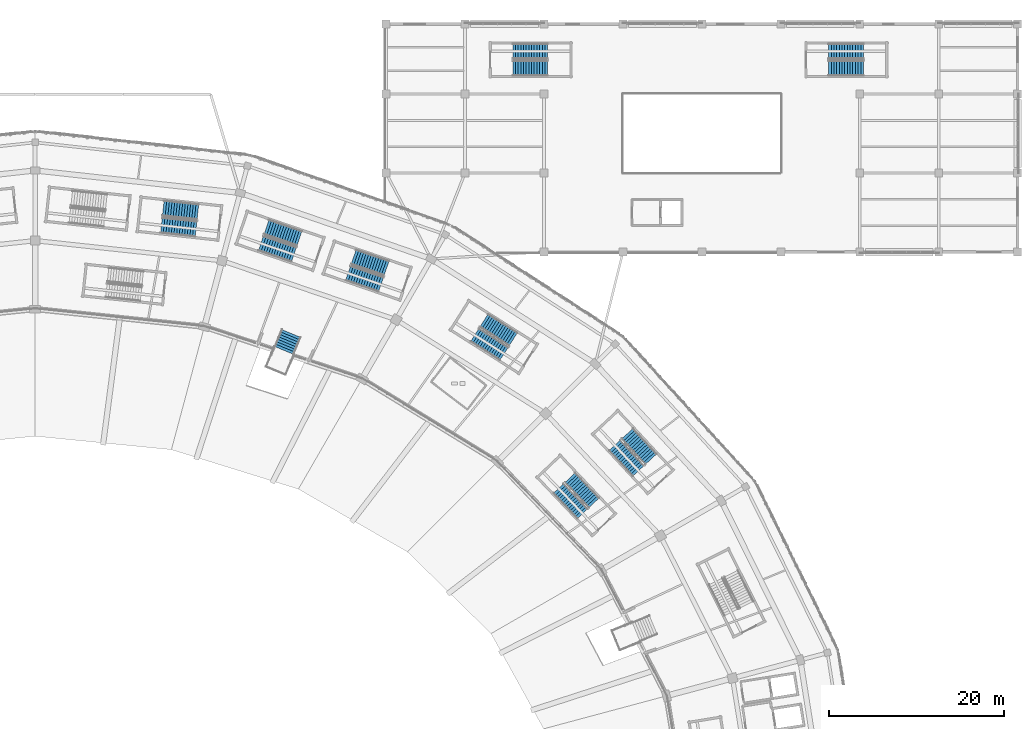
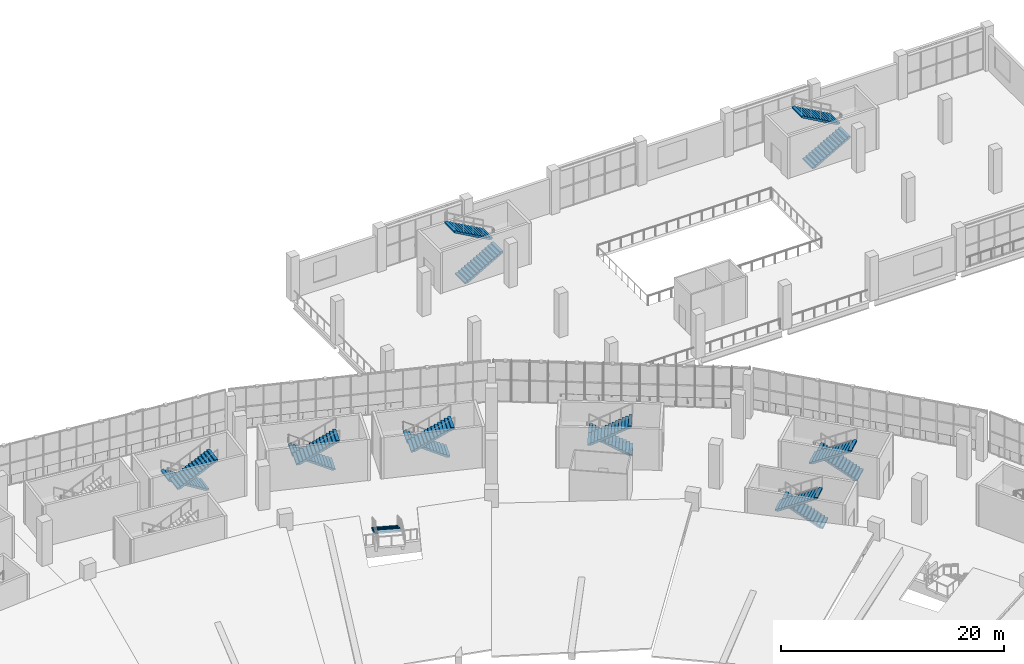
# One storey, part 118 of 183: 17 stair flights, 9 elements without a shape of their own.
"""IFC4 building model written with IfcOpenShell, lengths in metres."""

from ifc_helpers import new_model, si_unit, direction, frame, origin, place, context, subcontext, project, spatial, polyline, outline, extrude, material, type_object, element, aggregate, save


model = new_model("IFC4")

# Units and contexts
model_context = context("Model", 3, precision=1e-05, world=origin(), true_north=direction((0.0, 1.0)))
body_context = subcontext(model_context, "Body", "Model", "MODEL_VIEW")
ifc_project = project(units=[si_unit("LENGTHUNIT", "METRE"), si_unit("AREAUNIT", "SQUARE_METRE"), si_unit("VOLUMEUNIT", "CUBIC_METRE"), si_unit("PLANEANGLEUNIT", "RADIAN"), si_unit("MASSUNIT", "GRAM", prefix="KILO")], contexts=[model_context])

# Site, building, storey
site_placement = place(None, origin())
site = spatial("IfcSite", under=ifc_project, at=site_placement, CompositionType="ELEMENT")
building_placement = place(site_placement, origin())
building = spatial("IfcBuilding", under=site, at=building_placement, Name="Zevraka Park Crest Stadium", CompositionType="ELEMENT")
storey_placement = place(building_placement, frame((0.0, 0.0, 5.39990234375)))
storey = spatial("IfcBuildingStorey", under=building, at=storey_placement, Name="L01", CompositionType="ELEMENT", Elevation=5.39990234375)

# Stair, stair flights
ifc_material_1 = material(Name="Concrete C35/45", Category="concrete")
stair_type_1 = type_object("IfcStairType", Name="STA2", PredefinedType="HALF_TURN_STAIR", material=ifc_material_1)
stair_1_placement = place(storey_placement, origin())
stair_1 = element("IfcStair", 1, at=stair_1_placement, inside=storey, type_object=stair_type_1, Name="L01 Protected Concourse Exit Stair ST03", PredefinedType="HALF_TURN_STAIR")
ifc_material_2 = material(Name="Concrete C35/45", Category="concrete")
stair_flight_type_1 = type_object("IfcStairFlightType", Name="FLA2", PredefinedType="STRAIGHT", material=ifc_material_2)
stair_flight_1_placement = place(storey_placement, frame((182.212646484375, 134.396240234375, 0.0), z_axis=(0.0, 0.0, 1.0), x_axis=(-0.680255347227, 0.732975212793, 0.0)))
stair_flight_1 = element("IfcStairFlight", 2, at=stair_flight_1_placement, type_object=stair_flight_type_1, Name="ST03 flight 1", NumberOfRisers=14, NumberOfTreads=13, PredefinedType="STRAIGHT", RiserHeight=0.171428571, TreadLength=0.305, context=body_context, shape_type="SweptSolid", body=[
    extrude(outline(polyline([(0.0, 0.0), (0.0, 0.17138671875), (0.304931640625, 0.17138671875), (0.304931640625, 0.3427734375), (0.610107421875, 0.3427734375), (0.610107421875, 0.514404296875), (0.9150390625, 0.514404296875), (0.9150390625, 0.685791015625), (1.219970703125, 0.685791015625), (1.219970703125, 0.857177734375), (1.52490234375, 0.857177734375), (1.52490234375, 1.028564453125), (1.830078125, 1.028564453125), (1.830078125, 1.199951171875), (2.135009765625, 1.199951171875), (2.135009765625, 1.371337890625), (2.43994140625, 1.371337890625), (2.43994140625, 1.54296875), (2.7451171875, 1.54296875), (2.7451171875, 1.71435546875), (3.050048828125, 1.71435546875), (3.050048828125, 1.8857421875), (3.35498046875, 1.8857421875), (3.35498046875, 2.05712890625), (3.659912109375, 2.05712890625), (3.659912109375, 2.228515625), (3.965087890625, 2.228515625), (3.965087890625, 2.39990234375), (3.965087890625, 2.045166015625), (0.326416015625, 0.0), (0.0, 0.0)])), frame((0.0, 0.89990234375, 0.0), z_axis=(0.0, -1.0, 0.0), x_axis=(1.0, 0.0, 0.0)), (0.0, 0.0, 1.0), 1.800048828125),
])
stair_flight_2_placement = place(storey_placement, frame((178.078857421875, 135.96923828125, 2.400146484375), z_axis=(0.0, 0.0, 1.0), x_axis=(0.680255347227, -0.732975212793, 0.0)))
stair_flight_2 = element("IfcStairFlight", 3, at=stair_flight_2_placement, type_object=stair_flight_type_1, Name="ST03 flight 2", NumberOfRisers=14, NumberOfTreads=13, PredefinedType="STRAIGHT", RiserHeight=0.171428571, TreadLength=0.305, context=body_context, shape_type="SweptSolid", body=[
    extrude(outline(polyline([(0.0, 0.0), (0.0, 0.17138671875), (0.304931640625, 0.17138671875), (0.304931640625, 0.3427734375), (0.610107421875, 0.3427734375), (0.610107421875, 0.514404296875), (0.9150390625, 0.514404296875), (0.9150390625, 0.685791015625), (1.219970703125, 0.685791015625), (1.219970703125, 0.857177734375), (1.52490234375, 0.857177734375), (1.52490234375, 1.028564453125), (1.830078125, 1.028564453125), (1.830078125, 1.199951171875), (2.135009765625, 1.199951171875), (2.135009765625, 1.371337890625), (2.43994140625, 1.371337890625), (2.43994140625, 1.54296875), (2.7451171875, 1.54296875), (2.7451171875, 1.71435546875), (3.050048828125, 1.71435546875), (3.050048828125, 1.8857421875), (3.35498046875, 1.8857421875), (3.35498046875, 2.05712890625), (3.659912109375, 2.05712890625), (3.659912109375, 2.228515625), (3.965087890625, 2.228515625), (3.965087890625, 2.39990234375), (3.965087890625, 2.045166015625), (0.326416015625, 0.0), (0.0, 0.0)])), frame((0.0, 0.89990234375, 0.0), z_axis=(0.0, -1.0, 0.0), x_axis=(1.0, 0.0, 0.0)), (0.0, 0.0, 1.0), 1.800048828125),
])
aggregate(stair_1, [stair_flight_1, stair_flight_2])

stair_2_placement = place(storey_placement, origin())
stair_2 = element("IfcStair", 4, at=stair_2_placement, inside=storey, type_object=stair_type_1, Name="L01 Protected Concourse Exit Stair ST04", PredefinedType="HALF_TURN_STAIR")
stair_flight_3_placement = place(storey_placement, frame((166.5029296875, 148.060302734375, 0.0), z_axis=(0.0, 0.0, 1.0), x_axis=(-0.844397122829, 0.535717741874, 0.0)))
stair_flight_3 = element("IfcStairFlight", 5, at=stair_flight_3_placement, type_object=stair_flight_type_1, Name="ST04 flight 1", NumberOfRisers=14, NumberOfTreads=13, PredefinedType="STRAIGHT", RiserHeight=0.171428571, TreadLength=0.305, context=body_context, shape_type="SweptSolid", body=[
    extrude(outline(polyline([(0.0, 0.0), (0.0, 0.17138671875), (0.304931640625, 0.17138671875), (0.304931640625, 0.3427734375), (0.610107421875, 0.3427734375), (0.610107421875, 0.514404296875), (0.9150390625, 0.514404296875), (0.9150390625, 0.685791015625), (1.219970703125, 0.685791015625), (1.219970703125, 0.857177734375), (1.52490234375, 0.857177734375), (1.52490234375, 1.028564453125), (1.830078125, 1.028564453125), (1.830078125, 1.199951171875), (2.135009765625, 1.199951171875), (2.135009765625, 1.371337890625), (2.43994140625, 1.371337890625), (2.43994140625, 1.54296875), (2.7451171875, 1.54296875), (2.7451171875, 1.71435546875), (3.050048828125, 1.71435546875), (3.050048828125, 1.8857421875), (3.35498046875, 1.8857421875), (3.35498046875, 2.05712890625), (3.659912109375, 2.05712890625), (3.659912109375, 2.228515625), (3.965087890625, 2.228515625), (3.965087890625, 2.39990234375), (3.965087890625, 2.045166015625), (0.326416015625, 0.0), (0.0, 0.0)])), frame((0.0, 0.89990234375, 0.0), z_axis=(0.0, -1.0, 0.0), x_axis=(1.0, 0.0, 0.0)), (0.0, 0.0, 1.0), 1.800048828125),
])
stair_flight_4_placement = place(storey_placement, frame((162.104736328125, 148.529541015625, 2.400146484375), z_axis=(0.0, 0.0, 1.0), x_axis=(0.844397122829, -0.535717741874, 0.0)))
stair_flight_4 = element("IfcStairFlight", 6, at=stair_flight_4_placement, type_object=stair_flight_type_1, Name="ST04 flight 2", NumberOfRisers=14, NumberOfTreads=13, PredefinedType="STRAIGHT", RiserHeight=0.171428571, TreadLength=0.305, context=body_context, shape_type="SweptSolid", body=[
    extrude(outline(polyline([(0.0, 0.0), (0.0, 0.17138671875), (0.304931640625, 0.17138671875), (0.304931640625, 0.3427734375), (0.610107421875, 0.3427734375), (0.610107421875, 0.514404296875), (0.9150390625, 0.514404296875), (0.9150390625, 0.685791015625), (1.219970703125, 0.685791015625), (1.219970703125, 0.857177734375), (1.52490234375, 0.857177734375), (1.52490234375, 1.028564453125), (1.830078125, 1.028564453125), (1.830078125, 1.199951171875), (2.135009765625, 1.199951171875), (2.135009765625, 1.371337890625), (2.43994140625, 1.371337890625), (2.43994140625, 1.54296875), (2.7451171875, 1.54296875), (2.7451171875, 1.71435546875), (3.050048828125, 1.71435546875), (3.050048828125, 1.8857421875), (3.35498046875, 1.8857421875), (3.35498046875, 2.05712890625), (3.659912109375, 2.05712890625), (3.659912109375, 2.228515625), (3.965087890625, 2.228515625), (3.965087890625, 2.39990234375), (3.965087890625, 2.045166015625), (0.326416015625, 0.0), (0.0, 0.0)])), frame((0.0, 0.89990234375, 0.0), z_axis=(0.0, -1.0, 0.0), x_axis=(1.0, 0.0, 0.0)), (0.0, 0.0, 1.0), 1.800048828125),
])
aggregate(stair_2, [stair_flight_3, stair_flight_4])

stair_3_placement = place(storey_placement, origin())
stair_3 = element("IfcStair", 7, at=stair_3_placement, inside=storey, type_object=stair_type_1, Name="L01 Protected Concourse Exit Stair ST05", PredefinedType="HALF_TURN_STAIR")
stair_flight_5_placement = place(storey_placement, frame((152.057373046875, 156.154541015625, 0.0), z_axis=(0.0, 0.0, 1.0), x_axis=(-0.946066135515, 0.323973559463, 0.0)))
stair_flight_5 = element("IfcStairFlight", 8, at=stair_flight_5_placement, type_object=stair_flight_type_1, Name="ST05 flight 1", NumberOfRisers=14, NumberOfTreads=13, PredefinedType="STRAIGHT", RiserHeight=0.171428571, TreadLength=0.305, context=body_context, shape_type="SweptSolid", body=[
    extrude(outline(polyline([(0.0, 0.0), (0.0, 0.17138671875), (0.304931640625, 0.17138671875), (0.304931640625, 0.3427734375), (0.610107421875, 0.3427734375), (0.610107421875, 0.514404296875), (0.9150390625, 0.514404296875), (0.9150390625, 0.685791015625), (1.219970703125, 0.685791015625), (1.219970703125, 0.857177734375), (1.52490234375, 0.857177734375), (1.52490234375, 1.028564453125), (1.830078125, 1.028564453125), (1.830078125, 1.199951171875), (2.135009765625, 1.199951171875), (2.135009765625, 1.371337890625), (2.43994140625, 1.371337890625), (2.43994140625, 1.54296875), (2.7451171875, 1.54296875), (2.7451171875, 1.71435546875), (3.050048828125, 1.71435546875), (3.050048828125, 1.8857421875), (3.35498046875, 1.8857421875), (3.35498046875, 2.05712890625), (3.659912109375, 2.05712890625), (3.659912109375, 2.228515625), (3.965087890625, 2.228515625), (3.965087890625, 2.39990234375), (3.965087890625, 2.045166015625), (0.326416015625, 0.0), (0.0, 0.0)])), frame((0.0, 0.89990234375, 0.0), z_axis=(0.0, -1.0, 0.0), x_axis=(1.0, 0.0, 0.0)), (0.0, 0.0, 1.0), 1.800048828125),
])
stair_flight_6_placement = place(storey_placement, frame((147.671142578125, 155.584716796875, 2.400146484375), z_axis=(0.0, 0.0, 1.0), x_axis=(0.946066135515, -0.323973559463, 0.0)))
stair_flight_6 = element("IfcStairFlight", 9, at=stair_flight_6_placement, type_object=stair_flight_type_1, Name="ST05 flight 2", NumberOfRisers=14, NumberOfTreads=13, PredefinedType="STRAIGHT", RiserHeight=0.171428571, TreadLength=0.305, context=body_context, shape_type="SweptSolid", body=[
    extrude(outline(polyline([(0.0, 0.0), (0.0, 0.17138671875), (0.304931640625, 0.17138671875), (0.304931640625, 0.3427734375), (0.610107421875, 0.3427734375), (0.610107421875, 0.514404296875), (0.9150390625, 0.514404296875), (0.9150390625, 0.685791015625), (1.219970703125, 0.685791015625), (1.219970703125, 0.857177734375), (1.52490234375, 0.857177734375), (1.52490234375, 1.028564453125), (1.830078125, 1.028564453125), (1.830078125, 1.199951171875), (2.135009765625, 1.199951171875), (2.135009765625, 1.371337890625), (2.43994140625, 1.371337890625), (2.43994140625, 1.54296875), (2.7451171875, 1.54296875), (2.7451171875, 1.71435546875), (3.050048828125, 1.71435546875), (3.050048828125, 1.8857421875), (3.35498046875, 1.8857421875), (3.35498046875, 2.05712890625), (3.659912109375, 2.05712890625), (3.659912109375, 2.228515625), (3.965087890625, 2.228515625), (3.965087890625, 2.39990234375), (3.965087890625, 2.045166015625), (0.326416015625, 0.0), (0.0, 0.0)])), frame((0.0, 0.89990234375, 0.0), z_axis=(0.0, -1.0, 0.0), x_axis=(1.0, 0.0, 0.0)), (0.0, 0.0, 1.0), 1.800048828125),
])
aggregate(stair_3, [stair_flight_5, stair_flight_6])

stair_4_placement = place(storey_placement, origin())
stair_4 = element("IfcStair", 10, at=stair_4_placement, inside=storey, type_object=stair_type_1, Name="L01 Protected Concourse Exit Stair ST06", PredefinedType="HALF_TURN_STAIR")
stair_flight_7_placement = place(storey_placement, frame((130.545166015625, 162.56689453125, 0.0), z_axis=(0.0, 0.0, 1.0), x_axis=(-0.994127567381, 0.108214508149, 0.0)))
stair_flight_7 = element("IfcStairFlight", 11, at=stair_flight_7_placement, type_object=stair_flight_type_1, Name="ST06 flight 1", NumberOfRisers=14, NumberOfTreads=13, PredefinedType="STRAIGHT", RiserHeight=0.171428571, TreadLength=0.305, context=body_context, shape_type="SweptSolid", body=[
    extrude(outline(polyline([(0.0, 0.0), (0.0, 0.17138671875), (0.304931640625, 0.17138671875), (0.304931640625, 0.3427734375), (0.610107421875, 0.3427734375), (0.610107421875, 0.514404296875), (0.9150390625, 0.514404296875), (0.9150390625, 0.685791015625), (1.219970703125, 0.685791015625), (1.219970703125, 0.857177734375), (1.52490234375, 0.857177734375), (1.52490234375, 1.028564453125), (1.830078125, 1.028564453125), (1.830078125, 1.199951171875), (2.135009765625, 1.199951171875), (2.135009765625, 1.371337890625), (2.43994140625, 1.371337890625), (2.43994140625, 1.54296875), (2.7451171875, 1.54296875), (2.7451171875, 1.71435546875), (3.050048828125, 1.71435546875), (3.050048828125, 1.8857421875), (3.35498046875, 1.8857421875), (3.35498046875, 2.05712890625), (3.659912109375, 2.05712890625), (3.659912109375, 2.228515625), (3.965087890625, 2.228515625), (3.965087890625, 2.39990234375), (3.965087890625, 2.045166015625), (0.326416015625, 0.0), (0.0, 0.0)])), frame((0.0, 0.89990234375, 0.0), z_axis=(0.0, -1.0, 0.0), x_axis=(1.0, 0.0, 0.0)), (0.0, 0.0, 1.0), 1.800048828125),
])
stair_flight_8_placement = place(storey_placement, frame((126.391357421875, 161.04736328125, 2.400146484375), z_axis=(0.0, 0.0, 1.0), x_axis=(0.994127567381, -0.108214508149, 0.0)))
stair_flight_8 = element("IfcStairFlight", 12, at=stair_flight_8_placement, type_object=stair_flight_type_1, Name="ST06 flight 2", NumberOfRisers=14, NumberOfTreads=13, PredefinedType="STRAIGHT", RiserHeight=0.171428571, TreadLength=0.305, context=body_context, shape_type="SweptSolid", body=[
    extrude(outline(polyline([(0.0, 0.0), (0.0, 0.17138671875), (0.304931640625, 0.17138671875), (0.304931640625, 0.3427734375), (0.610107421875, 0.3427734375), (0.610107421875, 0.514404296875), (0.9150390625, 0.514404296875), (0.9150390625, 0.685791015625), (1.219970703125, 0.685791015625), (1.219970703125, 0.857177734375), (1.52490234375, 0.857177734375), (1.52490234375, 1.028564453125), (1.830078125, 1.028564453125), (1.830078125, 1.199951171875), (2.135009765625, 1.199951171875), (2.135009765625, 1.371337890625), (2.43994140625, 1.371337890625), (2.43994140625, 1.54296875), (2.7451171875, 1.54296875), (2.7451171875, 1.71435546875), (3.050048828125, 1.71435546875), (3.050048828125, 1.8857421875), (3.35498046875, 1.8857421875), (3.35498046875, 2.05712890625), (3.659912109375, 2.05712890625), (3.659912109375, 2.228515625), (3.965087890625, 2.228515625), (3.965087890625, 2.39990234375), (3.965087890625, 2.045166015625), (0.326416015625, 0.0), (0.0, 0.0)])), frame((0.0, 0.89990234375, 0.0), z_axis=(0.0, -1.0, 0.0), x_axis=(1.0, 0.0, 0.0)), (0.0, 0.0, 1.0), 1.800048828125),
])
aggregate(stair_4, [stair_flight_7, stair_flight_8])

stair_5_placement = place(storey_placement, origin())
stair_5 = element("IfcStair", 13, at=stair_5_placement, inside=storey, type_object=stair_type_1, Name="L01 Protected Paired Concourse Exit Stair ST25", PredefinedType="HALF_TURN_STAIR")
stair_flight_9_placement = place(storey_placement, frame((142.123291015625, 159.555419921875, 0.0), z_axis=(0.0, 0.0, 1.0), x_axis=(-0.946066135515, 0.323973559463, 0.0)))
stair_flight_9 = element("IfcStairFlight", 14, at=stair_flight_9_placement, type_object=stair_flight_type_1, Name="ST25 flight 1", NumberOfRisers=14, NumberOfTreads=13, PredefinedType="STRAIGHT", RiserHeight=0.171428571, TreadLength=0.305, context=body_context, shape_type="SweptSolid", body=[
    extrude(outline(polyline([(0.0, 0.0), (0.0, 0.17138671875), (0.304931640625, 0.17138671875), (0.304931640625, 0.3427734375), (0.610107421875, 0.3427734375), (0.610107421875, 0.514404296875), (0.9150390625, 0.514404296875), (0.9150390625, 0.685791015625), (1.219970703125, 0.685791015625), (1.219970703125, 0.857177734375), (1.52490234375, 0.857177734375), (1.52490234375, 1.028564453125), (1.830078125, 1.028564453125), (1.830078125, 1.199951171875), (2.135009765625, 1.199951171875), (2.135009765625, 1.371337890625), (2.43994140625, 1.371337890625), (2.43994140625, 1.54296875), (2.7451171875, 1.54296875), (2.7451171875, 1.71435546875), (3.050048828125, 1.71435546875), (3.050048828125, 1.8857421875), (3.35498046875, 1.8857421875), (3.35498046875, 2.05712890625), (3.659912109375, 2.05712890625), (3.659912109375, 2.228515625), (3.965087890625, 2.228515625), (3.965087890625, 2.39990234375), (3.965087890625, 2.045166015625), (0.326416015625, 0.0), (0.0, 0.0)])), frame((0.0, 0.89990234375, 0.0), z_axis=(0.0, -1.0, 0.0), x_axis=(1.0, 0.0, 0.0)), (0.0, 0.0, 1.0), 1.800048828125),
])
stair_flight_10_placement = place(storey_placement, frame((137.737060546875, 158.98583984375, 2.400146484375), z_axis=(0.0, 0.0, 1.0), x_axis=(0.946066135515, -0.323973559463, 0.0)))
stair_flight_10 = element("IfcStairFlight", 15, at=stair_flight_10_placement, type_object=stair_flight_type_1, Name="ST25 flight 2", NumberOfRisers=14, NumberOfTreads=13, PredefinedType="STRAIGHT", RiserHeight=0.171428571, TreadLength=0.305, context=body_context, shape_type="SweptSolid", body=[
    extrude(outline(polyline([(0.0, 0.0), (0.0, 0.17138671875), (0.304931640625, 0.17138671875), (0.304931640625, 0.3427734375), (0.610107421875, 0.3427734375), (0.610107421875, 0.514404296875), (0.9150390625, 0.514404296875), (0.9150390625, 0.685791015625), (1.219970703125, 0.685791015625), (1.219970703125, 0.857177734375), (1.52490234375, 0.857177734375), (1.52490234375, 1.028564453125), (1.830078125, 1.028564453125), (1.830078125, 1.199951171875), (2.135009765625, 1.199951171875), (2.135009765625, 1.371337890625), (2.43994140625, 1.371337890625), (2.43994140625, 1.54296875), (2.7451171875, 1.54296875), (2.7451171875, 1.71435546875), (3.050048828125, 1.71435546875), (3.050048828125, 1.8857421875), (3.35498046875, 1.8857421875), (3.35498046875, 2.05712890625), (3.659912109375, 2.05712890625), (3.659912109375, 2.228515625), (3.965087890625, 2.228515625), (3.965087890625, 2.39990234375), (3.965087890625, 2.045166015625), (0.326416015625, 0.0), (0.0, 0.0)])), frame((0.0, 0.89990234375, 0.0), z_axis=(0.0, -1.0, 0.0), x_axis=(1.0, 0.0, 0.0)), (0.0, 0.0, 1.0), 1.800048828125),
])
aggregate(stair_5, [stair_flight_9, stair_flight_10])

ifc_material_3 = material(Name="Concrete C35/45", Category="concrete")
stair_type_2 = type_object("IfcStairType", Name="STB2", PredefinedType="HALF_TURN_STAIR", material=ifc_material_3)
stair_6_placement = place(storey_placement, origin())
stair_6 = element("IfcStair", 16, at=stair_6_placement, inside=storey, type_object=stair_type_2, Name="L01 Protected Concourse Relief Stair ST34", PredefinedType="HALF_TURN_STAIR")
ifc_material_4 = material(Name="Concrete C35/45", Category="concrete")
stair_flight_type_2 = type_object("IfcStairFlightType", Name="FLB2", PredefinedType="STRAIGHT", material=ifc_material_4)
stair_flight_11_placement = place(storey_placement, frame((175.717041015625, 129.41943359375, 0.0), z_axis=(0.0, 0.0, 1.0), x_axis=(-0.68832672281, 0.725400801396, 0.0)))
stair_flight_11 = element("IfcStairFlight", 17, at=stair_flight_11_placement, type_object=stair_flight_type_2, Name="ST34 flight 1", NumberOfRisers=14, NumberOfTreads=13, PredefinedType="STRAIGHT", RiserHeight=0.171428571, TreadLength=0.305, context=body_context, shape_type="SweptSolid", body=[
    extrude(outline(polyline([(0.0, 0.0), (0.0, 0.17138671875), (0.304931640625, 0.17138671875), (0.304931640625, 0.3427734375), (0.610107421875, 0.3427734375), (0.610107421875, 0.514404296875), (0.9150390625, 0.514404296875), (0.9150390625, 0.685791015625), (1.219970703125, 0.685791015625), (1.219970703125, 0.857177734375), (1.52490234375, 0.857177734375), (1.52490234375, 1.028564453125), (1.830078125, 1.028564453125), (1.830078125, 1.199951171875), (2.135009765625, 1.199951171875), (2.135009765625, 1.371337890625), (2.43994140625, 1.371337890625), (2.43994140625, 1.54296875), (2.7451171875, 1.54296875), (2.7451171875, 1.71435546875), (3.050048828125, 1.71435546875), (3.050048828125, 1.8857421875), (3.35498046875, 1.8857421875), (3.35498046875, 2.05712890625), (3.659912109375, 2.05712890625), (3.659912109375, 2.228515625), (3.965087890625, 2.228515625), (3.965087890625, 2.39990234375), (3.965087890625, 2.045166015625), (0.326416015625, 0.0), (0.0, 0.0)])), frame((0.0, 0.824951171875, 0.0), z_axis=(0.0, -1.0, 0.0), x_axis=(1.0, 0.0, 0.0)), (0.0, 0.0, 1.0), 1.64990234375),
])
stair_flight_12_placement = place(storey_placement, frame((171.675048828125, 131.0498046875, 2.400146484375), z_axis=(0.0, 0.0, 1.0), x_axis=(0.68832672281, -0.725400801396, 0.0)))
stair_flight_12 = element("IfcStairFlight", 18, at=stair_flight_12_placement, type_object=stair_flight_type_2, Name="ST34 flight 2", NumberOfRisers=14, NumberOfTreads=13, PredefinedType="STRAIGHT", RiserHeight=0.171428571, TreadLength=0.305, context=body_context, shape_type="SweptSolid", body=[
    extrude(outline(polyline([(0.0, 0.0), (0.0, 0.17138671875), (0.304931640625, 0.17138671875), (0.304931640625, 0.3427734375), (0.610107421875, 0.3427734375), (0.610107421875, 0.514404296875), (0.9150390625, 0.514404296875), (0.9150390625, 0.685791015625), (1.219970703125, 0.685791015625), (1.219970703125, 0.857177734375), (1.52490234375, 0.857177734375), (1.52490234375, 1.028564453125), (1.830078125, 1.028564453125), (1.830078125, 1.199951171875), (2.135009765625, 1.199951171875), (2.135009765625, 1.371337890625), (2.43994140625, 1.371337890625), (2.43994140625, 1.54296875), (2.7451171875, 1.54296875), (2.7451171875, 1.71435546875), (3.050048828125, 1.71435546875), (3.050048828125, 1.8857421875), (3.35498046875, 1.8857421875), (3.35498046875, 2.05712890625), (3.659912109375, 2.05712890625), (3.659912109375, 2.228515625), (3.965087890625, 2.228515625), (3.965087890625, 2.39990234375), (3.965087890625, 2.045166015625), (0.326416015625, 0.0), (0.0, 0.0)])), frame((0.0, 0.824951171875, 0.0), z_axis=(0.0, -1.0, 0.0), x_axis=(1.0, 0.0, 0.0)), (0.0, 0.0, 1.0), 1.64990234375),
])
aggregate(stair_6, [stair_flight_11, stair_flight_12])

ifc_material_5 = material(Name="Concrete C35/45", Category="concrete")
stair_type_3 = type_object("IfcStairType", Name="STC2", PredefinedType="HALF_TURN_STAIR", material=ifc_material_5)
stair_7_placement = place(storey_placement, origin())
stair_7 = element("IfcStair", 19, at=stair_7_placement, inside=storey, type_object=stair_type_3, Name="L01 North Gate Pavilion East Stair ST45", PredefinedType="HALF_TURN_STAIR")
ifc_material_6 = material(Name="Concrete C35/45", Category="concrete")
stair_flight_type_3 = type_object("IfcStairFlightType", Name="FLC2", PredefinedType="STRAIGHT", material=ifc_material_6)
stair_flight_13_placement = place(storey_placement, frame((202.449951171875, 178.965087890625, 0.0), z_axis=(0.0, 0.0, 1.0), x_axis=(1.0, 0.0, 0.0)))
stair_flight_13 = element("IfcStairFlight", 20, at=stair_flight_13_placement, type_object=stair_flight_type_3, Name="ST45 flight 1", NumberOfRisers=14, NumberOfTreads=13, PredefinedType="STRAIGHT", RiserHeight=0.171428571, TreadLength=0.305, context=body_context, shape_type="SweptSolid", body=[
    extrude(outline(polyline([(0.0, 0.0), (0.0, 0.17138671875), (0.304931640625, 0.17138671875), (0.304931640625, 0.3427734375), (0.610107421875, 0.3427734375), (0.610107421875, 0.514404296875), (0.9150390625, 0.514404296875), (0.9150390625, 0.685791015625), (1.219970703125, 0.685791015625), (1.219970703125, 0.857177734375), (1.52490234375, 0.857177734375), (1.52490234375, 1.028564453125), (1.830078125, 1.028564453125), (1.830078125, 1.199951171875), (2.135009765625, 1.199951171875), (2.135009765625, 1.371337890625), (2.43994140625, 1.371337890625), (2.43994140625, 1.54296875), (2.7451171875, 1.54296875), (2.7451171875, 1.71435546875), (3.050048828125, 1.71435546875), (3.050048828125, 1.8857421875), (3.35498046875, 1.8857421875), (3.35498046875, 2.05712890625), (3.659912109375, 2.05712890625), (3.659912109375, 2.228515625), (3.965087890625, 2.228515625), (3.965087890625, 2.39990234375), (3.965087890625, 2.045166015625), (0.326416015625, 0.0), (0.0, 0.0)])), frame((0.0, 0.875, 0.0), z_axis=(0.0, -1.0, 0.0), x_axis=(1.0, 0.0, 0.0)), (0.0, 0.0, 1.0), 1.75),
])
stair_flight_14_placement = place(storey_placement, frame((206.4150390625, 180.875, 2.400146484375), z_axis=(0.0, 0.0, 1.0), x_axis=(-1.0, 0.0, 0.0)))
stair_flight_14 = element("IfcStairFlight", 21, at=stair_flight_14_placement, type_object=stair_flight_type_3, Name="ST45 flight 2", NumberOfRisers=14, NumberOfTreads=13, PredefinedType="STRAIGHT", RiserHeight=0.171428571, TreadLength=0.305, context=body_context, shape_type="SweptSolid", body=[
    extrude(outline(polyline([(0.0, 0.0), (0.0, 0.17138671875), (0.304931640625, 0.17138671875), (0.304931640625, 0.3427734375), (0.610107421875, 0.3427734375), (0.610107421875, 0.514404296875), (0.9150390625, 0.514404296875), (0.9150390625, 0.685791015625), (1.219970703125, 0.685791015625), (1.219970703125, 0.857177734375), (1.52490234375, 0.857177734375), (1.52490234375, 1.028564453125), (1.830078125, 1.028564453125), (1.830078125, 1.199951171875), (2.135009765625, 1.199951171875), (2.135009765625, 1.371337890625), (2.43994140625, 1.371337890625), (2.43994140625, 1.54296875), (2.7451171875, 1.54296875), (2.7451171875, 1.71435546875), (3.050048828125, 1.71435546875), (3.050048828125, 1.8857421875), (3.35498046875, 1.8857421875), (3.35498046875, 2.05712890625), (3.659912109375, 2.05712890625), (3.659912109375, 2.228515625), (3.965087890625, 2.228515625), (3.965087890625, 2.39990234375), (3.965087890625, 2.045166015625), (0.326416015625, 0.0), (0.0, 0.0)])), frame((0.0, 0.875, 0.0), z_axis=(0.0, -1.0, 0.0), x_axis=(1.0, 0.0, 0.0)), (0.0, 0.0, 1.0), 1.75),
])
aggregate(stair_7, [stair_flight_13, stair_flight_14])

stair_8_placement = place(storey_placement, origin())
stair_8 = element("IfcStair", 22, at=stair_8_placement, inside=storey, type_object=stair_type_3, Name="L01 North Gate Pavilion West Stair ST46", PredefinedType="HALF_TURN_STAIR")
stair_flight_15_placement = place(storey_placement, frame((166.449951171875, 178.965087890625, 0.0), z_axis=(0.0, 0.0, 1.0), x_axis=(1.0, 0.0, 0.0)))
stair_flight_15 = element("IfcStairFlight", 23, at=stair_flight_15_placement, type_object=stair_flight_type_3, Name="ST46 flight 1", NumberOfRisers=14, NumberOfTreads=13, PredefinedType="STRAIGHT", RiserHeight=0.171428571, TreadLength=0.305, context=body_context, shape_type="SweptSolid", body=[
    extrude(outline(polyline([(0.0, 0.0), (0.0, 0.17138671875), (0.304931640625, 0.17138671875), (0.304931640625, 0.3427734375), (0.610107421875, 0.3427734375), (0.610107421875, 0.514404296875), (0.9150390625, 0.514404296875), (0.9150390625, 0.685791015625), (1.219970703125, 0.685791015625), (1.219970703125, 0.857177734375), (1.52490234375, 0.857177734375), (1.52490234375, 1.028564453125), (1.830078125, 1.028564453125), (1.830078125, 1.199951171875), (2.135009765625, 1.199951171875), (2.135009765625, 1.371337890625), (2.43994140625, 1.371337890625), (2.43994140625, 1.54296875), (2.7451171875, 1.54296875), (2.7451171875, 1.71435546875), (3.050048828125, 1.71435546875), (3.050048828125, 1.8857421875), (3.35498046875, 1.8857421875), (3.35498046875, 2.05712890625), (3.659912109375, 2.05712890625), (3.659912109375, 2.228515625), (3.965087890625, 2.228515625), (3.965087890625, 2.39990234375), (3.965087890625, 2.045166015625), (0.326416015625, 0.0), (0.0, 0.0)])), frame((0.0, 0.875, 0.0), z_axis=(0.0, -1.0, 0.0), x_axis=(1.0, 0.0, 0.0)), (0.0, 0.0, 1.0), 1.75),
])
stair_flight_16_placement = place(storey_placement, frame((170.4150390625, 180.875, 2.400146484375), z_axis=(0.0, 0.0, 1.0), x_axis=(-1.0, 0.0, 0.0)))
stair_flight_16 = element("IfcStairFlight", 24, at=stair_flight_16_placement, type_object=stair_flight_type_3, Name="ST46 flight 2", NumberOfRisers=14, NumberOfTreads=13, PredefinedType="STRAIGHT", RiserHeight=0.171428571, TreadLength=0.305, context=body_context, shape_type="SweptSolid", body=[
    extrude(outline(polyline([(0.0, 0.0), (0.0, 0.17138671875), (0.304931640625, 0.17138671875), (0.304931640625, 0.3427734375), (0.610107421875, 0.3427734375), (0.610107421875, 0.514404296875), (0.9150390625, 0.514404296875), (0.9150390625, 0.685791015625), (1.219970703125, 0.685791015625), (1.219970703125, 0.857177734375), (1.52490234375, 0.857177734375), (1.52490234375, 1.028564453125), (1.830078125, 1.028564453125), (1.830078125, 1.199951171875), (2.135009765625, 1.199951171875), (2.135009765625, 1.371337890625), (2.43994140625, 1.371337890625), (2.43994140625, 1.54296875), (2.7451171875, 1.54296875), (2.7451171875, 1.71435546875), (3.050048828125, 1.71435546875), (3.050048828125, 1.8857421875), (3.35498046875, 1.8857421875), (3.35498046875, 2.05712890625), (3.659912109375, 2.05712890625), (3.659912109375, 2.228515625), (3.965087890625, 2.228515625), (3.965087890625, 2.39990234375), (3.965087890625, 2.045166015625), (0.326416015625, 0.0), (0.0, 0.0)])), frame((0.0, 0.875, 0.0), z_axis=(0.0, -1.0, 0.0), x_axis=(1.0, 0.0, 0.0)), (0.0, 0.0, 1.0), 1.75),
])
aggregate(stair_8, [stair_flight_15, stair_flight_16])

# Stair, stair flight
ifc_material_7 = material(Name="Concrete C35/45", Category="concrete")
stair_type_4 = type_object("IfcStairType", Name="VST1", PredefinedType="STRAIGHT_RUN_STAIR", material=ifc_material_7)
stair_9_placement = place(storey_placement, origin())
stair_9 = element("IfcStair", 25, at=stair_9_placement, inside=storey, type_object=stair_type_4, Name="Vomitory Stair VS-02", PredefinedType="STRAIGHT_RUN_STAIR")
ifc_material_8 = material(Name="Concrete C35/45", Category="concrete")
stair_flight_type_4 = type_object("IfcStairFlightType", Name="FLVS", PredefinedType="STRAIGHT", material=ifc_material_8)
stair_flight_17_placement = place(storey_placement, frame((141.18408203125, 148.718017578125, 0.0), z_axis=(0.0, 0.0, 1.0), x_axis=(-0.382699557047, -0.923872853285, 0.0)))
stair_flight_17 = element("IfcStairFlight", 26, at=stair_flight_17_placement, type_object=stair_flight_type_4, Name="VST1 flight 1", NumberOfRisers=8, NumberOfTreads=7, PredefinedType="STRAIGHT", RiserHeight=0.15, TreadLength=0.3, context=body_context, shape_type="SweptSolid", body=[
    extrude(outline(polyline([(0.0, 0.0), (0.0, 0.14990234375), (0.300048828125, 0.14990234375), (0.300048828125, 0.300048828125), (0.60009765625, 0.300048828125), (0.60009765625, 0.449951171875), (0.89990234375, 0.449951171875), (0.89990234375, 0.60009765625), (1.199951171875, 0.60009765625), (1.199951171875, 0.75), (1.5, 0.75), (1.5, 0.89990234375), (1.800048828125, 0.89990234375), (1.800048828125, 1.050048828125), (2.10009765625, 1.050048828125), (2.10009765625, 1.199951171875), (2.10009765625, 0.848876953125), (0.40234375, 0.0), (0.0, 0.0)])), frame((0.0, 1.199951171875, 0.0), z_axis=(0.0, -1.0, 0.0), x_axis=(1.0, 0.0, 0.0)), (0.0, 0.0, 1.0), 2.39990234375),
])
aggregate(stair_9, [stair_flight_17])

save(model, "model.ifc")
